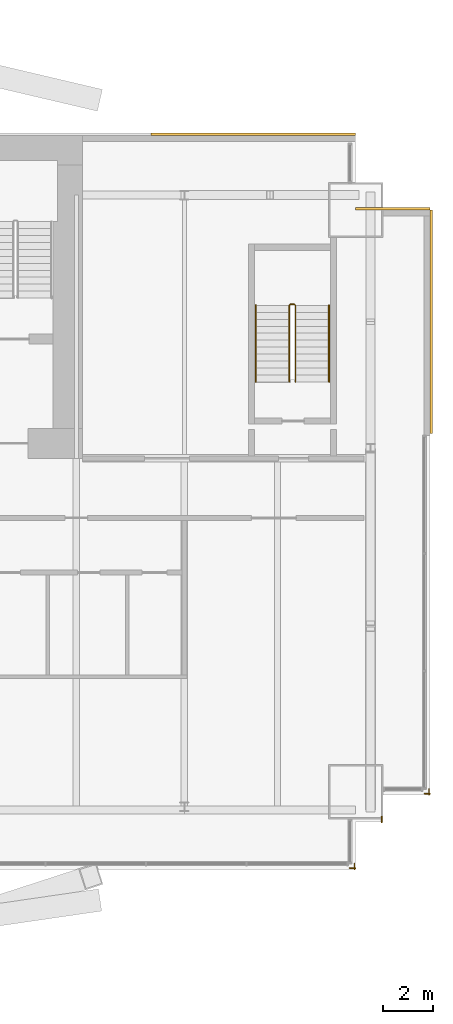
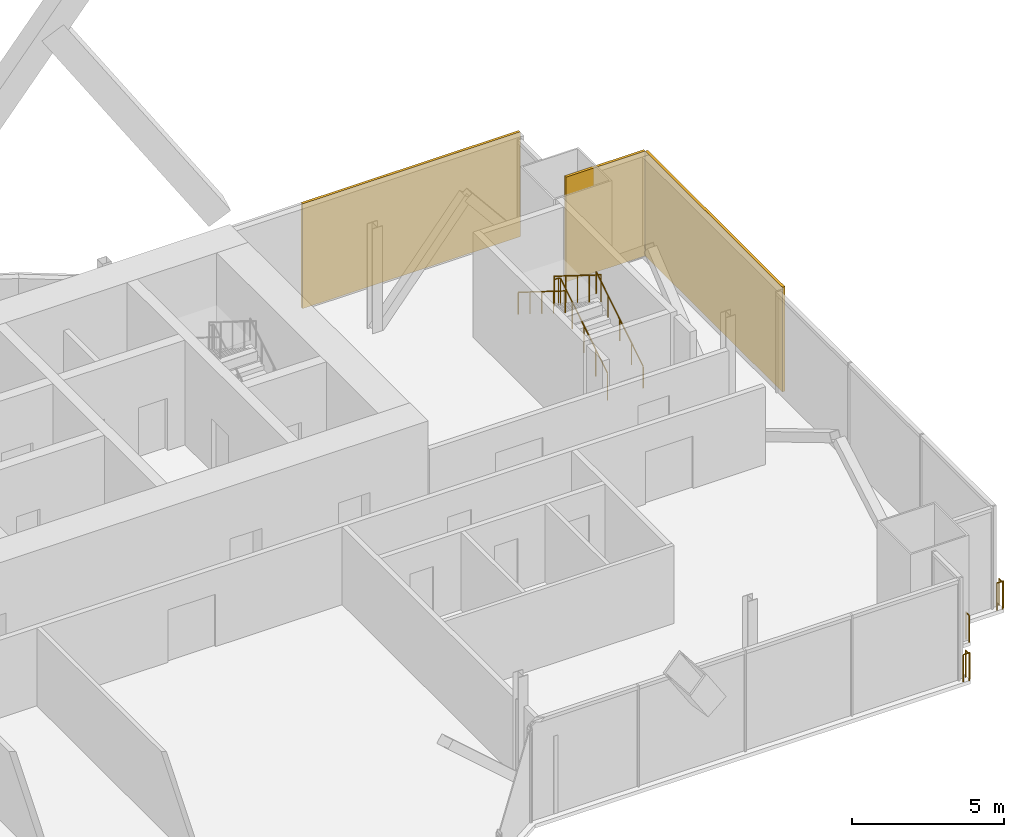
# One storey, part 22 of 22: 6 railings, 3 coverings.
"""IFC4 building model written with IfcOpenShell, lengths in metres."""

from ifc_helpers import new_model, si_unit, direction, frame, origin, origin_2d, place, context, subcontext, project, spatial, rectangle, circle, extrude, material, layer, layer_set, type_object, element, save


model = new_model("IFC4")

# Units and contexts
model_context = context("Model", 3, precision=1e-05, world=origin(), true_north=direction((0.0, 1.0)))
body_context = subcontext(model_context, "Body", "Model", "MODEL_VIEW")
ifc_project = project(units=[si_unit("LENGTHUNIT", "METRE"), si_unit("AREAUNIT", "SQUARE_METRE"), si_unit("VOLUMEUNIT", "CUBIC_METRE"), si_unit("PLANEANGLEUNIT", "RADIAN"), si_unit("MASSUNIT", "GRAM", prefix="KILO")], contexts=[model_context])

# Site, building, storey
site_placement = place(None, origin())
site = spatial("IfcSite", under=ifc_project, at=site_placement, CompositionType="ELEMENT")
building_placement = place(site_placement, origin())
building = spatial("IfcBuilding", under=site, at=building_placement, Name="Bicima Exchange Tower", CompositionType="ELEMENT")
storey_placement = place(building_placement, frame((0.0, 0.0, 254.0)))
storey = spatial("IfcBuildingStorey", under=building, at=storey_placement, Name="L57", CompositionType="ELEMENT", Elevation=254.0)

# Coverings
ifc_material_1 = material(Name="Bronze metal cladding")
ifc_layer_1 = layer(ifc_material_1, 0.004)
ifc_material_2 = material(Name="Ventilated cavity")
ifc_layer_2 = layer(ifc_material_2, 0.06)
ifc_material_3 = material(Name="Galvanised steel rail and mineral wool", Category="steel")
ifc_layer_3 = layer(ifc_material_3, 0.036)
ifc_layer_set = layer_set([ifc_layer_1, ifc_layer_2, ifc_layer_3], Name="Ventilated cavity")
covering_type = type_object("IfcCoveringType", Name="Bronze metal cladding panel 100", PredefinedType="CLADDING", material=ifc_layer_set)
covering_1_placement = place(storey_placement, frame((28.875, 0.050048828125, -0.14990234375), z_axis=(0.0, 0.0, 1.0), x_axis=(-1.0, 0.0, 0.0)))
element("IfcCovering", 1, at=covering_1_placement, inside=storey, type_object=covering_type, Name="Bronze cladding L57 1.1", PredefinedType="CLADDING", context=body_context, shape_type="SweptSolid", body=[
    extrude(rectangle(XDim=8.25, YDim=0.10009765625, at=origin_2d()), origin(), (0.0, 0.0, 1.0), 4.199951171875),
])
covering_2_placement = place(storey_placement, frame((36.050048828125, -7.5, -0.14990234375), z_axis=(0.0, 0.0, 1.0), x_axis=(0.0, 1.0, 0.0)))
element("IfcCovering", 2, at=covering_2_placement, inside=storey, type_object=covering_type, Name="Bronze cladding L57 50.1", PredefinedType="CLADDING", context=body_context, shape_type="SweptSolid", body=[
    extrude(rectangle(XDim=9.0, YDim=0.10009765625, at=origin_2d()), origin(), (0.0, 0.0, 1.0), 4.199951171875),
])
covering_3_placement = place(storey_placement, frame((34.5, -2.949951171875, -0.14990234375), z_axis=(0.0, 0.0, 1.0), x_axis=(-1.0, 0.0, 0.0)))
element("IfcCovering", 3, at=covering_3_placement, inside=storey, type_object=covering_type, Name="Bronze cladding L57 51.1", PredefinedType="CLADDING", context=body_context, shape_type="SweptSolid", body=[
    extrude(rectangle(XDim=3.0, YDim=0.10009765625, at=origin_2d()), origin(), (0.0, 0.0, 1.0), 4.199951171875),
])

# Railings
ifc_material_4 = material(Name="Stainless steel and bonded safety glass", Category="steel")
railing_type_1 = type_object("IfcRailingType", Name="Edge guard 1100", PredefinedType="GUARDRAIL", material=ifc_material_4)
railing_1_placement = place(storey_placement, frame((35.949951171875, -26.30810546875, 0.0)))
element("IfcRailing", 4, at=railing_1_placement, inside=storey, type_object=railing_type_1, Name="Edge guard L57 290", PredefinedType="GUARDRAIL", context=body_context, shape_type="SweptSolid", body=[
    extrude(circle(Radius=0.02392578125, at=origin_2d()), frame((0.0, 0.0, 1.076171875), z_axis=(0.0, -1.0, 0.0), x_axis=(1.0, 0.0, 0.0)), (0.0, 0.0, 1.0), 0.247802734375),
    extrude(circle(Radius=0.02392578125, at=origin_2d()), frame((0.0, -0.247802734375, 1.076171875), z_axis=(0.708833529934, 0.705375805398, 0.0), x_axis=(-0.705375805398, 0.708833529934, 0.0)), (0.0, 0.0, 1.0), 0.070556640625),
    extrude(circle(Radius=0.02392578125, at=origin_2d()), frame((0.050048828125, -0.197998046875, 1.076171875), z_axis=(-1.0, 0.0, 0.0), x_axis=(0.0, -1.0, 0.0)), (0.0, 0.0, 1.0), 0.237060546875),
    extrude(circle(Radius=0.02099609375, at=origin_2d()), origin(), (0.0, 0.0, 1.0), 1.052001953125),
    extrude(circle(Radius=0.02099609375, at=origin_2d()), frame((0.0, -0.247802734375, 0.0)), (0.0, 0.0, 1.0), 1.052001953125),
    extrude(circle(Radius=0.02099609375, at=origin_2d()), frame((0.050048828125, -0.197998046875, 0.0)), (0.0, 0.0, 1.0), 1.052001953125),
    extrude(circle(Radius=0.02099609375, at=origin_2d()), frame((-0.18701171875, -0.197998046875, 0.0)), (0.0, 0.0, 1.0), 1.052001953125),
])
railing_2_placement = place(storey_placement, frame((34.050048828125, -27.43603515625, 0.0)))
element("IfcRailing", 5, at=railing_2_placement, inside=storey, type_object=railing_type_1, Name="Edge guard L57 291", PredefinedType="GUARDRAIL", context=body_context, shape_type="SweptSolid", body=[
    extrude(circle(Radius=0.02392578125, at=origin_2d()), frame((0.0, 0.0, 1.076171875), z_axis=(0.0, -1.0, 0.0), x_axis=(1.0, 0.0, 0.0)), (0.0, 0.0, 1.0), 0.219970703125),
    extrude(circle(Radius=0.02099609375, at=origin_2d()), origin(), (0.0, 0.0, 1.0), 1.052001953125),
    extrude(circle(Radius=0.02099609375, at=origin_2d()), frame((0.0, -0.219970703125, 0.0)), (0.0, 0.0, 1.0), 1.052001953125),
])
railing_3_placement = place(storey_placement, frame((32.949951171875, -29.319091796875, 0.0)))
element("IfcRailing", 6, at=railing_3_placement, inside=storey, type_object=railing_type_1, Name="Edge guard L57 292", PredefinedType="GUARDRAIL", context=body_context, shape_type="SweptSolid", body=[
    extrude(circle(Radius=0.02392578125, at=origin_2d()), frame((0.0, 0.0, 1.076171875), z_axis=(0.0, -1.0, 0.0), x_axis=(1.0, 0.0, 0.0)), (0.0, 0.0, 1.0), 0.23681640625),
    extrude(circle(Radius=0.02392578125, at=origin_2d()), frame((0.0, -0.23681640625, 1.076171875), z_axis=(0.708833529934, 0.705375805398, 0.0), x_axis=(-0.705375805398, 0.708833529934, 0.0)), (0.0, 0.0, 1.0), 0.070556640625),
    extrude(circle(Radius=0.02392578125, at=origin_2d()), frame((0.050048828125, -0.18701171875, 1.076171875), z_axis=(-1.0, 0.0, 0.0), x_axis=(0.0, -1.0, 0.0)), (0.0, 0.0, 1.0), 0.25),
    extrude(circle(Radius=0.02099609375, at=origin_2d()), origin(), (0.0, 0.0, 1.0), 1.052001953125),
    extrude(circle(Radius=0.02099609375, at=origin_2d()), frame((0.0, -0.23681640625, 0.0)), (0.0, 0.0, 1.0), 1.052001953125),
    extrude(circle(Radius=0.02099609375, at=origin_2d()), frame((0.050048828125, -0.18701171875, 0.0)), (0.0, 0.0, 1.0), 1.052001953125),
    extrude(circle(Radius=0.02099609375, at=origin_2d()), frame((-0.199951171875, -0.18701171875, 0.0)), (0.0, 0.0, 1.0), 1.052001953125),
])
ifc_material_5 = material(Name="Stainless steel", Category="steel")
railing_type_2 = type_object("IfcRailingType", Name="Stair guard 1100", PredefinedType="GUARDRAIL", material=ifc_material_5)
railing_4_placement = place(storey_placement, frame((30.574951171875, -9.925048828125, 0.175048828125)))
element("IfcRailing", 7, at=railing_4_placement, inside=storey, type_object=railing_type_2, Name="L57 ST-EE stair guard 1", PredefinedType="GUARDRAIL", context=body_context, shape_type="SweptSolid", body=[
    extrude(circle(Radius=0.02392578125, at=origin_2d()), frame((0.0, 0.0, 1.076171875), z_axis=(0.0, 0.847998304005, 0.529998940003), x_axis=(-1.0, 0.0, 0.0)), (0.0, 0.0, 1.0), 3.632080078125),
    extrude(circle(Radius=0.02392578125, at=origin_2d()), frame((0.0, 3.080078125, 3.0009765625), z_axis=(-0.707106781187, 0.707106781187, 0.0), x_axis=(-0.707106781187, -0.707106781187, 0.0)), (0.0, 0.0, 1.0), 0.07080078125),
    extrude(circle(Radius=0.02392578125, at=origin_2d()), frame((-0.050048828125, 3.130126953125, 3.0009765625), z_axis=(-1.0, 0.0, 0.0), x_axis=(0.0, -1.0, 0.0)), (0.0, 0.0, 1.0), 0.14990234375),
    extrude(circle(Radius=0.02392578125, at=origin_2d()), frame((-0.199951171875, 3.130126953125, 3.0009765625), z_axis=(-0.265383341853, -0.265383341853, 0.926899867156), x_axis=(0.707106781187, -0.707106781187, 0.0)), (0.0, 0.0, 1.0), 0.1884765625),
    extrude(circle(Radius=0.02392578125, at=origin_2d()), frame((-0.25, 3.080078125, 3.17578125), z_axis=(0.0, -0.847998304005, 0.529998940003), x_axis=(1.0, 0.0, 0.0)), (0.0, 0.0, 1.0), 3.632080078125),
    extrude(circle(Radius=0.02099609375, at=origin_2d()), origin(), (0.0, 0.0, 1.0), 1.052001953125),
    extrude(circle(Radius=0.02099609375, at=origin_2d()), frame((0.0, 0.77001953125, 0.481201171875)), (0.0, 0.0, 1.0), 1.052001953125),
    extrude(circle(Radius=0.02099609375, at=origin_2d()), frame((0.0, 1.5400390625, 0.96240234375)), (0.0, 0.0, 1.0), 1.052001953125),
    extrude(circle(Radius=0.02099609375, at=origin_2d()), frame((0.0, 2.31005859375, 1.44384765625)), (0.0, 0.0, 1.0), 1.052001953125),
    extrude(circle(Radius=0.02099609375, at=origin_2d()), frame((0.0, 3.080078125, 1.925048828125)), (0.0, 0.0, 1.0), 1.052001953125),
    extrude(circle(Radius=0.02099609375, at=origin_2d()), frame((-0.050048828125, 3.130126953125, 1.925048828125)), (0.0, 0.0, 1.0), 1.052001953125),
    extrude(circle(Radius=0.02099609375, at=origin_2d()), frame((-0.199951171875, 3.130126953125, 1.925048828125)), (0.0, 0.0, 1.0), 1.052001953125),
    extrude(circle(Radius=0.02099609375, at=origin_2d()), frame((-0.25, 3.080078125, 2.099853515625)), (0.0, 0.0, 1.0), 1.052001953125),
    extrude(circle(Radius=0.02099609375, at=origin_2d()), frame((-0.25, 2.31005859375, 2.5810546875)), (0.0, 0.0, 1.0), 1.052001953125),
    extrude(circle(Radius=0.02099609375, at=origin_2d()), frame((-0.25, 1.5400390625, 3.0625)), (0.0, 0.0, 1.0), 1.052001953125),
    extrude(circle(Radius=0.02099609375, at=origin_2d()), frame((-0.25, 0.77001953125, 3.543701171875)), (0.0, 0.0, 1.0), 1.052001953125),
    extrude(circle(Radius=0.02099609375, at=origin_2d()), frame((-0.25, 0.0, 4.02490234375)), (0.0, 0.0, 1.0), 1.052001953125),
])
railing_type_3 = type_object("IfcRailingType", Name="Stair handrail 900", PredefinedType="HANDRAIL", material=ifc_material_5)
railing_5_placement = place(storey_placement, frame((31.925048828125, -9.925048828125, 0.175048828125)))
element("IfcRailing", 8, at=railing_5_placement, inside=storey, type_object=railing_type_3, Name="L57 ST-EE stair handrail 1", PredefinedType="HANDRAIL", context=body_context, shape_type="SweptSolid", body=[
    extrude(circle(Radius=0.02392578125, at=origin_2d()), frame((0.0, 0.0, 0.8759765625), z_axis=(0.0, 0.847998304005, 0.529998940003), x_axis=(-1.0, 0.0, 0.0)), (0.0, 0.0, 1.0), 3.632080078125),
    extrude(circle(Radius=0.02099609375, at=origin_2d()), origin(), (0.0, 0.0, 1.0), 0.851806640625),
    extrude(circle(Radius=0.02099609375, at=origin_2d()), frame((0.0, 0.77001953125, 0.481201171875)), (0.0, 0.0, 1.0), 0.851806640625),
    extrude(circle(Radius=0.02099609375, at=origin_2d()), frame((0.0, 1.5400390625, 0.96240234375)), (0.0, 0.0, 1.0), 0.851806640625),
    extrude(circle(Radius=0.02099609375, at=origin_2d()), frame((0.0, 2.31005859375, 1.44384765625)), (0.0, 0.0, 1.0), 0.851806640625),
    extrude(circle(Radius=0.02099609375, at=origin_2d()), frame((0.0, 3.080078125, 1.925048828125)), (0.0, 0.0, 1.0), 0.851806640625),
])
railing_6_placement = place(storey_placement, frame((28.97509765625, -6.844970703125, 2.303955078125)))
element("IfcRailing", 9, at=railing_6_placement, inside=storey, type_object=railing_type_3, Name="L57 ST-EE stair handrail 2", PredefinedType="HANDRAIL", context=body_context, shape_type="SweptSolid", body=[
    extrude(circle(Radius=0.02392578125, at=origin_2d()), frame((0.0, 0.0, 0.8759765625), z_axis=(0.0, -0.847998304005, 0.529998940003), x_axis=(1.0, 0.0, 0.0)), (0.0, 0.0, 1.0), 3.632080078125),
    extrude(circle(Radius=0.02099609375, at=origin_2d()), origin(), (0.0, 0.0, 1.0), 0.851806640625),
    extrude(circle(Radius=0.02099609375, at=origin_2d()), frame((0.0, -0.77001953125, 0.481201171875)), (0.0, 0.0, 1.0), 0.851806640625),
    extrude(circle(Radius=0.02099609375, at=origin_2d()), frame((0.0, -1.5400390625, 0.96240234375)), (0.0, 0.0, 1.0), 0.851806640625),
    extrude(circle(Radius=0.02099609375, at=origin_2d()), frame((0.0, -2.31005859375, 1.44384765625)), (0.0, 0.0, 1.0), 0.851806640625),
    extrude(circle(Radius=0.02099609375, at=origin_2d()), frame((0.0, -3.080078125, 1.925048828125)), (0.0, 0.0, 1.0), 0.851806640625),
])

save(model, "model.ifc")
